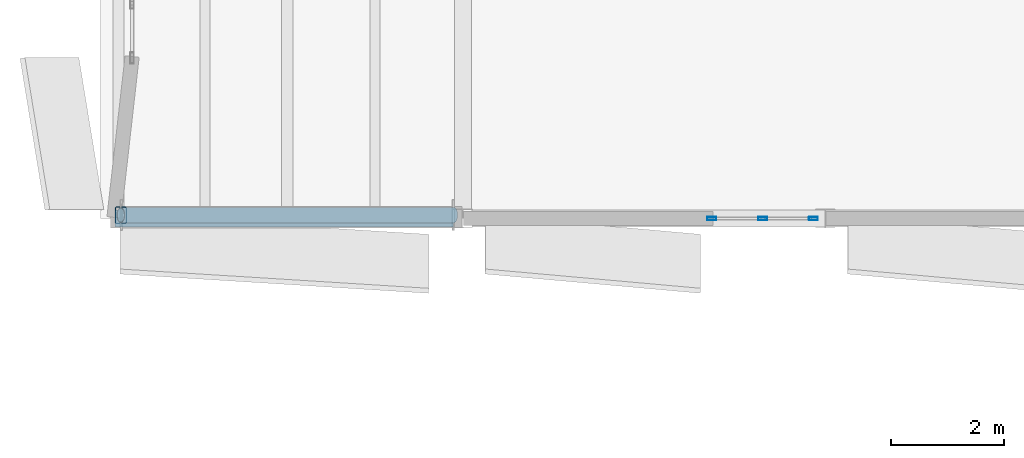
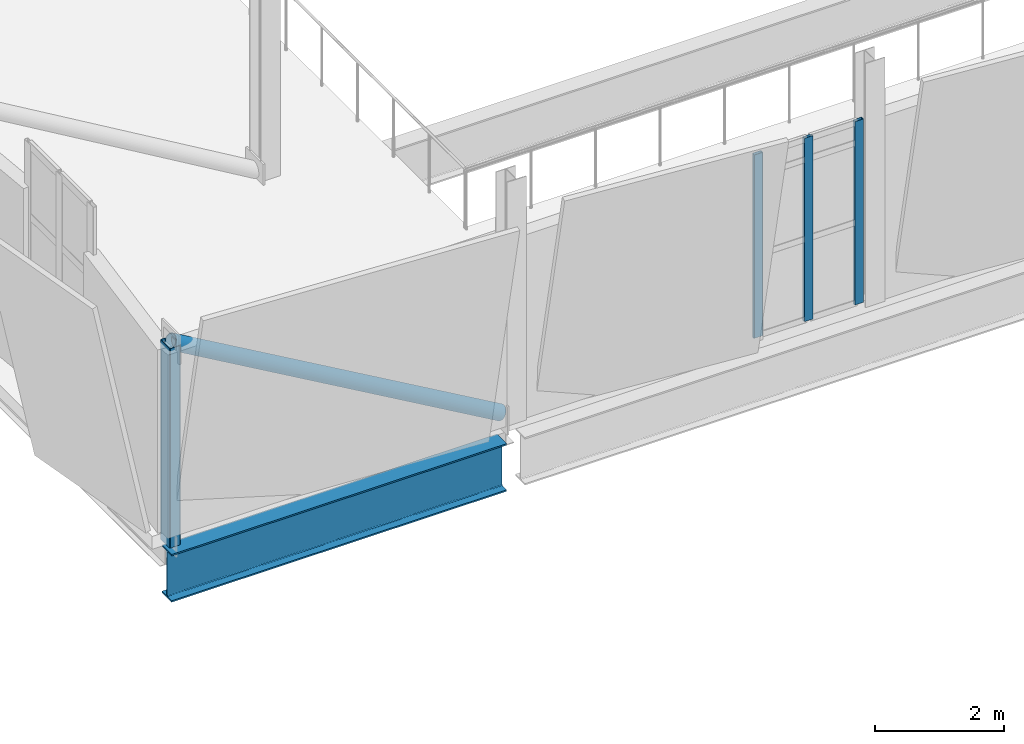
# One storey, part 9 of 136: 5 members, 1 beam, 1 element without a shape of its own.
"""IFC4 building model written with IfcOpenShell, lengths in metres."""

from ifc_helpers import new_model, si_unit, direction, frame, origin, origin_2d, place, context, subcontext, project, spatial, hollow_rectangle, hollow_circle, i_section, extrude, material, material_profile, profile_set, type_object, element, aggregate, save


model = new_model("IFC4")

# Units and contexts
model_context = context("Model", 3, precision=1e-05, world=origin(), true_north=direction((0.0, 1.0)))
body_context = subcontext(model_context, "Body", "Model", "MODEL_VIEW")
ifc_project = project(units=[si_unit("LENGTHUNIT", "METRE"), si_unit("AREAUNIT", "SQUARE_METRE"), si_unit("VOLUMEUNIT", "CUBIC_METRE"), si_unit("PLANEANGLEUNIT", "RADIAN"), si_unit("MASSUNIT", "GRAM", prefix="KILO")], contexts=[model_context])

# Site, building, storey
site_placement = place(None, origin())
site = spatial("IfcSite", under=ifc_project, at=site_placement, CompositionType="ELEMENT")
building_placement = place(site_placement, origin())
building = spatial("IfcBuilding", under=site, at=building_placement, Name="Shengluoqiao Park Theatre", CompositionType="ELEMENT")
storey_placement = place(building_placement, frame((0.0, 0.0, 10.0)))
storey = spatial("IfcBuildingStorey", under=building, at=storey_placement, Name="L02", CompositionType="ELEMENT", Elevation=10.0)

# Curtain wall, members
ifc_material_1 = material(Name="Aluminium 6063-T6", Category="aluminium")
curtain_wall_type = type_object("IfcCurtainWallType", Name="ENV-CW-STUDIO", PredefinedType="NOTDEFINED", material=ifc_material_1)
curtain_wall_placement = place(storey_placement, origin())
curtain_wall = element("IfcCurtainWall", 1, at=curtain_wall_placement, inside=storey, type_object=curtain_wall_type, Name="L02 Curtain Wall CWX-L02-0023", PredefinedType="NOTDEFINED")
ifc_material_profile_1 = material_profile(ifc_material_1, hollow_rectangle(XDim=0.06005859375, YDim=0.159912109375, WallThickness=0.00390625, InnerFilletRadius=0.00390625, OuterFilletRadius=0.008056640625, at=origin_2d()), Name="ALU MULLION 160x60x4")
ifc_profile_set_1 = profile_set([ifc_material_profile_1], Name="Aluminium 6063-T6")
member_type_1 = type_object("IfcMemberType", Name="ENV-MUL-160", PredefinedType="MULLION", material=ifc_profile_set_1)
member_1_placement = place(storey_placement, frame((10.797119140625, 30.39990234375, 0.0), z_axis=(0.0, 0.0, 1.0), x_axis=(0.0, 1.0, 0.0)))
member_1 = element("IfcMember", 2, at=member_1_placement, type_object=member_type_1, Name="CW-02 mullion 1", PredefinedType="MULLION", context=body_context, shape_type="SweptSolid", body=[
    extrude(hollow_rectangle(XDim=0.06005859375, YDim=0.159912109375, WallThickness=0.00390625, InnerFilletRadius=0.00390625, OuterFilletRadius=0.008056640625, at=origin_2d()), origin(), (0.0, 0.0, 1.0), 3.4580078125),
])
member_2_placement = place(storey_placement, frame((11.694580078125, 30.39990234375, 0.0), z_axis=(0.0, 0.0, 1.0), x_axis=(0.0, 1.0, 0.0)))
member_2 = element("IfcMember", 3, at=member_2_placement, type_object=member_type_1, Name="CW-02 mullion 2", PredefinedType="MULLION", context=body_context, shape_type="SweptSolid", body=[
    extrude(hollow_rectangle(XDim=0.06005859375, YDim=0.159912109375, WallThickness=0.00390625, InnerFilletRadius=0.00390625, OuterFilletRadius=0.008056640625, at=origin_2d()), origin(), (0.0, 0.0, 1.0), 3.4580078125),
])
member_3_placement = place(storey_placement, frame((12.592041015625, 30.39990234375, 0.0), z_axis=(0.0, 0.0, 1.0), x_axis=(0.0, 1.0, 0.0)))
member_3 = element("IfcMember", 4, at=member_3_placement, type_object=member_type_1, Name="CW-02 mullion 3", PredefinedType="MULLION", context=body_context, shape_type="SweptSolid", body=[
    extrude(hollow_rectangle(XDim=0.06005859375, YDim=0.159912109375, WallThickness=0.00390625, InnerFilletRadius=0.00390625, OuterFilletRadius=0.008056640625, at=origin_2d()), origin(), (0.0, 0.0, 1.0), 3.4580078125),
])
aggregate(curtain_wall, [member_1, member_2, member_3])

# Beam
ifc_material_2 = material(Name="Steel Q390", Category="steel")
ifc_material_profile_2 = material_profile(ifc_material_2, i_section(OverallWidth=0.300048828125, OverallDepth=0.89990234375, WebThickness=0.01611328125, FlangeThickness=0.028076171875, FilletRadius=0.028076171875, at=origin_2d()), Name="HN 900x300x16x28")
ifc_profile_set_2 = profile_set([ifc_material_profile_2], Name="Steel Q390")
beam_type = type_object("IfcBeamType", Name="STR-BM-G-HN900", PredefinedType="BEAM", material=ifc_profile_set_2)
beam_placement = place(storey_placement, frame((0.260009765625, 30.39990234375, -0.7900390625), z_axis=(1.0, 0.0, 0.0), x_axis=(0.0, 1.0, 0.0)))
element("IfcBeam", 5, at=beam_placement, inside=storey, type_object=beam_type, Name="CT-V3-1 L02 Cantilever Overhang Chord", PredefinedType="BEAM", context=body_context, shape_type="SweptSolid", body=[
    extrude(i_section(OverallWidth=0.300048828125, OverallDepth=0.89990234375, WebThickness=0.01611328125, FlangeThickness=0.028076171875, FilletRadius=0.028076171875, at=origin_2d()), origin(), (0.0, 0.0, 1.0), 5.97705078125),
])

# Members
ifc_material_3 = material(Name="Steel Q355", Category="steel")
ifc_material_profile_3 = material_profile(ifc_material_3, hollow_circle(Radius=0.136474609375, WallThickness=0.011962890625, at=origin_2d()), Name="CHS 273x12")
ifc_profile_set_3 = profile_set([ifc_material_profile_3], Name="Steel Q355")
member_type_2 = type_object("IfcMemberType", Name="STR-MEM-BRC-273", PredefinedType="BRACE", material=ifc_profile_set_3)
member_4_placement = place(storey_placement, frame((6.240966796875, 30.4599609375, 0.1201171875), z_axis=(-0.865732884472, 0.0, 0.500506316388), x_axis=(0.0, -1.0, 0.0)))
element("IfcMember", 6, at=member_4_placement, inside=storey, type_object=member_type_2, Name="CT-V3-1 L02 Cantilever Raking Strut", PredefinedType="BRACE", context=body_context, shape_type="SweptSolid", body=[
    extrude(hollow_circle(Radius=0.136474609375, WallThickness=0.011962890625, at=origin_2d()), origin(), (0.0, 0.0, 1.0), 6.79296875),
])
ifc_material_profile_4 = material_profile(ifc_material_2, hollow_rectangle(XDim=0.199951171875, YDim=0.300048828125, WallThickness=0.011962890625, InnerFilletRadius=0.011962890625, OuterFilletRadius=0.02392578125, at=origin_2d()), Name="RHS 300x200x12")
ifc_profile_set_4 = profile_set([ifc_material_profile_4], Name="Steel Q390")
member_type_3 = type_object("IfcMemberType", Name="STR-MEM-PTR-302", PredefinedType="POST", material=ifc_profile_set_4)
member_5_placement = place(storey_placement, frame((0.360107421875, 30.4599609375, -0.260009765625), z_axis=(0.0, 0.0, 1.0), x_axis=(1.0, 0.0, 0.0)))
element("IfcMember", 7, at=member_5_placement, inside=storey, type_object=member_type_3, Name="CT-V3-1 L02 Cantilever Tip Post", PredefinedType="POST", context=body_context, shape_type="SweptSolid", body=[
    extrude(hollow_rectangle(XDim=0.199951171875, YDim=0.300048828125, WallThickness=0.011962890625, InnerFilletRadius=0.011962890625, OuterFilletRadius=0.02392578125, at=origin_2d()), origin(), (0.0, 0.0, 1.0), 3.760009765625),
])

save(model, "model.ifc")
